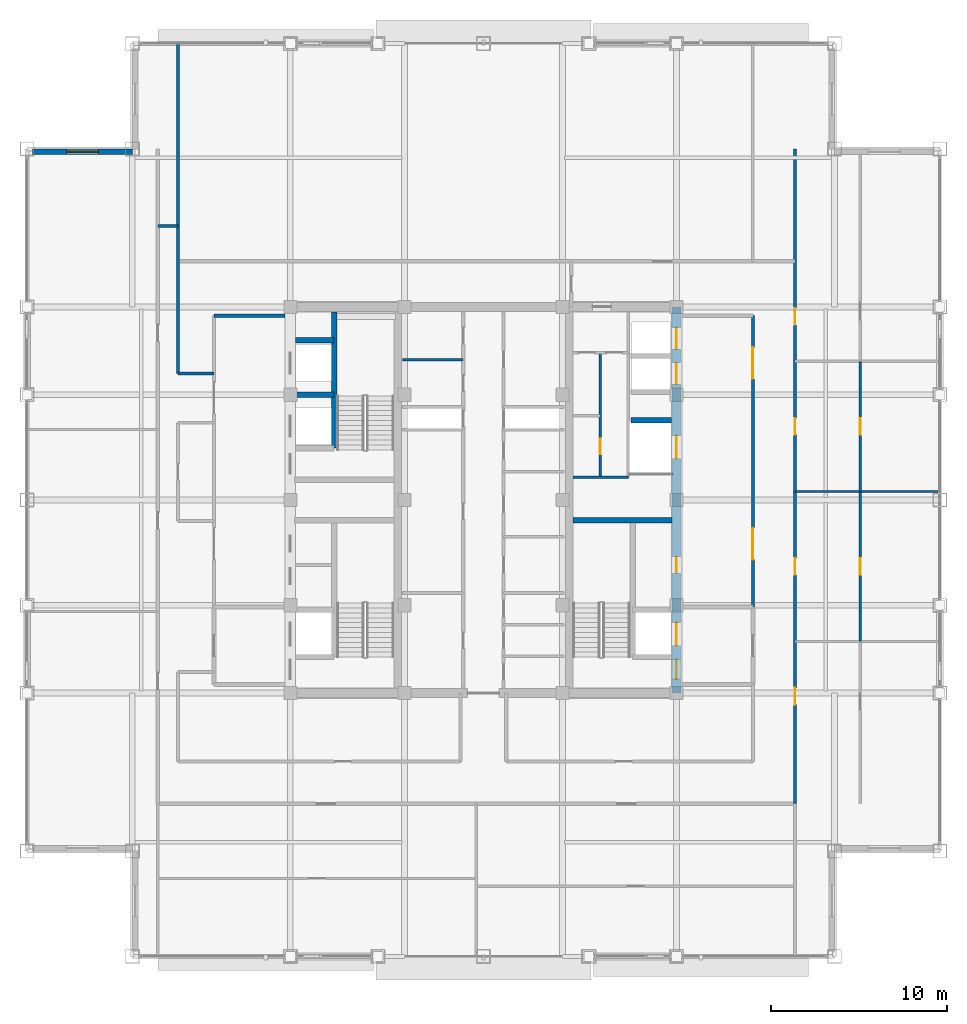
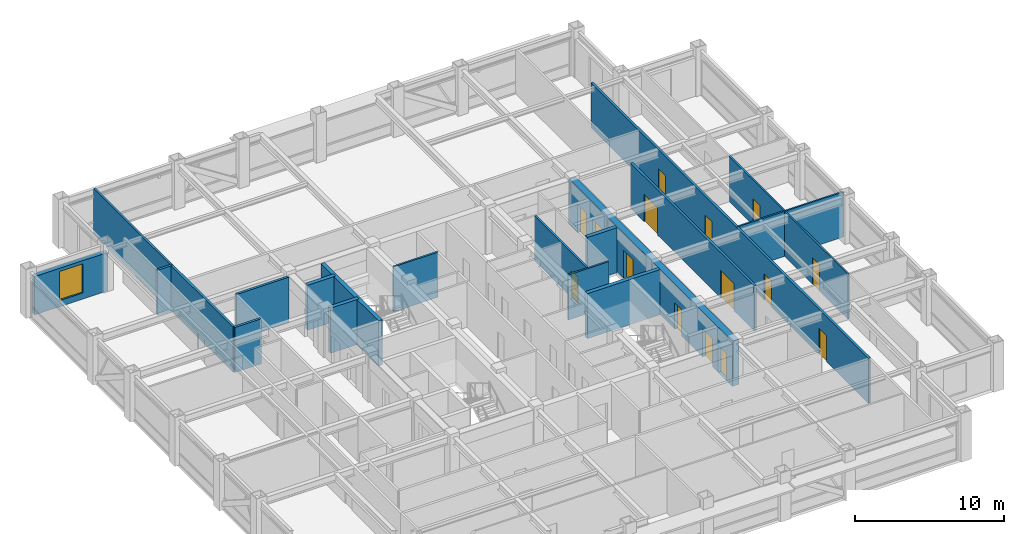
# One storey, part 26 of 32: 20 walls, 15 doors, 1 window, 16 openings.
"""IFC4 building model written with IfcOpenShell, lengths in metres."""

from ifc_helpers import new_model, si_unit, direction, frame, frame_2d, origin, place, context, subcontext, project, spatial, rectangle, extrude, source, transform, mapped, material, layer, layer_set, type_object, element, fill, save


model = new_model("IFC4")

# Units and contexts
model_context = context("Model", 3, precision=1e-05, world=origin(), true_north=direction((0.0, 1.0)))
body_context = subcontext(model_context, "Body", "Model", "MODEL_VIEW")
ifc_project = project(units=[si_unit("LENGTHUNIT", "METRE"), si_unit("AREAUNIT", "SQUARE_METRE"), si_unit("VOLUMEUNIT", "CUBIC_METRE"), si_unit("PLANEANGLEUNIT", "RADIAN"), si_unit("MASSUNIT", "GRAM", prefix="KILO")], contexts=[model_context])

# Site, building, storey
site_placement = place(None, origin())
site = spatial("IfcSite", under=ifc_project, at=site_placement, CompositionType="ELEMENT")
building_placement = place(site_placement, origin())
building = spatial("IfcBuilding", under=site, at=building_placement, Name="Khorayat Bourse Tower", CompositionType="ELEMENT")
storey_placement = place(building_placement, frame((0.0, 0.0, 342.300048828125)))
storey = spatial("IfcBuildingStorey", under=building, at=storey_placement, Name="L81", CompositionType="ELEMENT", Elevation=342.300048828125)

# Wall, openings, doors
ifc_material_1 = material(Name="Concrete C52/65", Category="concrete")
ifc_layer_1 = layer(ifc_material_1, 0.5)
ifc_layer_set_1 = layer_set([ifc_layer_1], Name="Concrete C52/65")
wall_type_1 = type_object("IfcWallType", Name="WAL-CORE-500", PredefinedType="SHEAR", material=ifc_layer_set_1)
shared_shape_1 = source(origin(), body_context, "Body", "SweptSolid", [
    extrude(rectangle(XDim=22.0, YDim=0.5, at=frame_2d((11.0, 0.0))), origin(), (0.0, 0.0, 1.0), 3.699951171875),
])
wall_1_placement = place(storey_placement, frame((11.0, -11.0, 0.0), z_axis=(0.0, 0.0, 1.0), x_axis=(0.0, 1.0, 0.0)))
wall_1 = element("IfcWall", 1, at=wall_1_placement, inside=storey, type_object=wall_type_1, Name="L81 Core Shear Wall CORE-E", PredefinedType="SHEAR", context=body_context, shape_type="MappedRepresentation", body=[
    mapped(shared_shape_1, transform((0.0, 0.0, 0.0), scale=1.0)),
])
shared_shape_2 = source(origin(), body_context, "Body", "SweptSolid", [
    extrude(rectangle(XDim=1.10009765625, YDim=2.199951171875, at=frame_2d((0.550048828125, 1.10009765625))), frame((0.0, 0.260009765625, 0.0), z_axis=(0.0, -1.0, 0.0), x_axis=(1.0, 0.0, 0.0)), (0.0, 0.0, 1.0), 0.52001953125),
])
opening_1_placement = place(wall_1_placement, frame((0.800048828125, 0.0, 0.0)))
opening_1 = element("IfcOpeningElement", 2, at=opening_1_placement, cuts=wall_1, Name="Opening DI-01", PredefinedType="OPENING", context=body_context, shape_type="MappedRepresentation", body=[
    mapped(shared_shape_2, transform((0.0, 0.0, 0.0), scale=1.0)),
])
shared_shape_3 = source(origin(), body_context, "Body", "SweptSolid", [
    extrude(rectangle(XDim=0.89990234375, YDim=2.14990234375, at=frame_2d((0.449951171875, 1.074951171875))), frame((0.0, 0.260009765625, 0.0), z_axis=(0.0, -1.0, 0.0), x_axis=(1.0, 0.0, 0.0)), (0.0, 0.0, 1.0), 0.52001953125),
])
opening_2_placement = place(wall_1_placement, frame((6.85009765625, 0.0, 0.0)))
opening_2 = element("IfcOpeningElement", 3, at=opening_2_placement, cuts=wall_1, Name="Opening DI-06", PredefinedType="OPENING", context=body_context, shape_type="MappedRepresentation", body=[
    mapped(shared_shape_3, transform((0.0, 0.0, 0.0), scale=1.0)),
])
shared_shape_4 = source(origin(), body_context, "Body", "SweptSolid", [
    extrude(rectangle(XDim=1.199951171875, YDim=2.300048828125, at=frame_2d((0.60009765625, 1.14990234375))), frame((0.0, 0.260009765625, 0.0), z_axis=(0.0, -1.0, 0.0), x_axis=(1.0, 0.0, 0.0)), (0.0, 0.0, 1.0), 0.52001953125),
])
opening_3_placement = place(wall_1_placement, frame((17.60009765625, 0.0, 0.0)))
opening_3 = element("IfcOpeningElement", 4, at=opening_3_placement, cuts=wall_1, Name="Opening LD-01", PredefinedType="OPENING", context=body_context, shape_type="MappedRepresentation", body=[
    mapped(shared_shape_4, transform((0.0, 0.0, 0.0), scale=1.0)),
])
opening_4_placement = place(wall_1_placement, frame((19.60009765625, 0.0, 0.0)))
opening_4 = element("IfcOpeningElement", 5, at=opening_4_placement, cuts=wall_1, Name="Opening LD-01", PredefinedType="OPENING", context=body_context, shape_type="MappedRepresentation", body=[
    mapped(shared_shape_4, transform((0.0, 0.0, 0.0), scale=1.0)),
])
shared_shape_5 = source(origin(), body_context, "Body", "SweptSolid", [
    extrude(rectangle(XDim=1.300048828125, YDim=2.300048828125, at=frame_2d((0.64990234375, 1.14990234375))), frame((0.0, 0.260009765625, 0.0), z_axis=(0.0, -1.0, 0.0), x_axis=(1.0, 0.0, 0.0)), (0.0, 0.0, 1.0), 0.52001953125),
])
opening_5_placement = place(wall_1_placement, frame((2.699951171875, 0.0, 0.0)))
opening_5 = element("IfcOpeningElement", 6, at=opening_5_placement, cuts=wall_1, Name="Opening LD-02", PredefinedType="OPENING", context=body_context, shape_type="MappedRepresentation", body=[
    mapped(shared_shape_5, transform((0.0, 0.0, 0.0), scale=1.0)),
])
opening_6_placement = place(wall_1_placement, frame((13.35009765625, 0.0, 0.0)))
opening_6 = element("IfcOpeningElement", 7, at=opening_6_placement, cuts=wall_1, Name="Opening LD-02", PredefinedType="OPENING", context=body_context, shape_type="MappedRepresentation", body=[
    mapped(shared_shape_5, transform((0.0, 0.0, 0.0), scale=1.0)),
])
ifc_material_2 = material(Name="Fire-rated steel acoustic leaf", Category="steel")
door_type_1 = type_object("IfcDoorType", Name="DR-INT-STAIR-1100", OperationType="NOTDEFINED", PredefinedType="DOOR", material=ifc_material_2)
shared_shape_6 = source(origin(), body_context, "Body", "SweptSolid", [
    extrude(rectangle(XDim=1.10009765625, YDim=2.199951171875, at=frame_2d((0.550048828125, 1.10009765625))), frame((0.0, 0.02490234375, 0.0), z_axis=(0.0, -1.0, 0.0), x_axis=(1.0, 0.0, 0.0)), (0.0, 0.0, 1.0), 0.050048828125),
])
door_1_placement = place(opening_1_placement, origin())
door_1 = element("IfcDoor", 8, at=door_1_placement, inside=storey, type_object=door_type_1, Name="L81 Exit Stair 3 Door", OperationType="SINGLE_SWING_LEFT", OverallHeight=2.199951171875, OverallWidth=1.10009765625, PredefinedType="DOOR", context=body_context, shape_type="MappedRepresentation", body=[
    mapped(shared_shape_6, transform((0.0, 0.0, 0.0), scale=1.0)),
])
fill(opening_1, door_1)
ifc_material_3 = material(Name="Moisture-resistant laminate washroom door")
door_type_2 = type_object("IfcDoorType", Name="DR-INT-WC-900", OperationType="NOTDEFINED", PredefinedType="DOOR", material=ifc_material_3)
shared_shape_7 = source(origin(), body_context, "Body", "SweptSolid", [
    extrude(rectangle(XDim=0.89990234375, YDim=2.14990234375, at=frame_2d((0.449951171875, 1.074951171875))), frame((0.0, 0.02490234375, 0.0), z_axis=(0.0, -1.0, 0.0), x_axis=(1.0, 0.0, 0.0)), (0.0, 0.0, 1.0), 0.050048828125),
])
door_2_placement = place(opening_2_placement, origin())
door_2 = element("IfcDoor", 9, at=door_2_placement, inside=storey, type_object=door_type_2, Name="L81 Telecom Server Plant Room Door", OperationType="SINGLE_SWING_LEFT", OverallHeight=2.14990234375, OverallWidth=0.89990234375, PredefinedType="DOOR", context=body_context, shape_type="MappedRepresentation", body=[
    mapped(shared_shape_7, transform((0.0, 0.0, 0.0), scale=1.0)),
])
fill(opening_2, door_2)
ifc_material_4 = material(Name="Brushed bronze stainless-steel sliding door", Category="steel")
door_type_3 = type_object("IfcDoorType", Name="DR-LIFT-PASS-1200", OperationType="NOTDEFINED", PredefinedType="DOOR", material=ifc_material_4)
shared_shape_8 = source(origin(), body_context, "Body", "SweptSolid", [
    extrude(rectangle(XDim=1.199951171875, YDim=2.300048828125, at=frame_2d((0.60009765625, 1.14990234375))), frame((0.0, 0.02490234375, 0.0), z_axis=(0.0, -1.0, 0.0), x_axis=(1.0, 0.0, 0.0)), (0.0, 0.0, 1.0), 0.050048828125),
])
door_3_placement = place(opening_3_placement, origin())
door_3 = element("IfcDoor", 10, at=door_3_placement, inside=storey, type_object=door_type_3, Name="L81 Lift PL-H3 Sliding Landing Door", OperationType="SLIDING_TO_LEFT", OverallHeight=2.300048828125, OverallWidth=1.199951171875, PredefinedType="DOOR", context=body_context, shape_type="MappedRepresentation", body=[
    mapped(shared_shape_8, transform((0.0, 0.0, 0.0), scale=1.0)),
])
fill(opening_3, door_3)
door_4_placement = place(opening_4_placement, origin())
door_4 = element("IfcDoor", 11, at=door_4_placement, inside=storey, type_object=door_type_3, Name="L81 Lift PL-H4 Sliding Landing Door", OperationType="SLIDING_TO_LEFT", OverallHeight=2.300048828125, OverallWidth=1.199951171875, PredefinedType="DOOR", context=body_context, shape_type="MappedRepresentation", body=[
    mapped(shared_shape_8, transform((0.0, 0.0, 0.0), scale=1.0)),
])
fill(opening_4, door_4)
ifc_material_5 = material(Name="Fire-rated stainless-steel sliding landing door", Category="steel")
door_type_4 = type_object("IfcDoorType", Name="DR-LIFT-FF-1300", OperationType="NOTDEFINED", PredefinedType="DOOR", material=ifc_material_5)
shared_shape_9 = source(origin(), body_context, "Body", "SweptSolid", [
    extrude(rectangle(XDim=1.300048828125, YDim=2.300048828125, at=frame_2d((0.64990234375, 1.14990234375))), frame((0.0, 0.02490234375, 0.0), z_axis=(0.0, -1.0, 0.0), x_axis=(1.0, 0.0, 0.0)), (0.0, 0.0, 1.0), 0.050048828125),
])
door_5_placement = place(opening_5_placement, origin())
door_5 = element("IfcDoor", 12, at=door_5_placement, inside=storey, type_object=door_type_4, Name="L81 Lift FFL-02 Sliding Landing Door", OperationType="SLIDING_TO_LEFT", OverallHeight=2.300048828125, OverallWidth=1.300048828125, PredefinedType="DOOR", context=body_context, shape_type="MappedRepresentation", body=[
    mapped(shared_shape_9, transform((0.0, 0.0, 0.0), scale=1.0)),
])
fill(opening_5, door_5)
door_6_placement = place(opening_6_placement, origin())
door_6 = element("IfcDoor", 13, at=door_6_placement, inside=storey, type_object=door_type_4, Name="L81 Lift SVL-01 Sliding Landing Door", OperationType="SLIDING_TO_LEFT", OverallHeight=2.300048828125, OverallWidth=1.300048828125, PredefinedType="DOOR", context=body_context, shape_type="MappedRepresentation", body=[
    mapped(shared_shape_9, transform((0.0, 0.0, 0.0), scale=1.0)),
])
fill(opening_6, door_6)

# Wall
ifc_material_6 = material(Name="Concrete C50/60", Category="concrete")
ifc_layer_2 = layer(ifc_material_6, 0.300048828125)
ifc_layer_set_2 = layer_set([ifc_layer_2], Name="Concrete C50/60")
wall_type_2 = type_object("IfcWallType", Name="WAL-SHAFT-300", PredefinedType="SHEAR", material=ifc_layer_set_2)
shared_shape_10 = source(origin(), body_context, "Body", "SweptSolid", [
    extrude(rectangle(XDim=5.64990234375, YDim=0.300048828125, at=frame_2d((2.824951171875, 0.0))), origin(), (0.0, 0.0, 1.0), 3.699951171875),
])
wall_2_placement = place(storey_placement, frame((5.10009765625, -1.14990234375, 0.0), z_axis=(0.0, 0.0, 1.0), x_axis=(1.0, 0.0, 0.0)))
element("IfcWall", 14, at=wall_2_placement, inside=storey, type_object=wall_type_2, Name="L81 Core Shear Wall ST3-DIV", PredefinedType="SHEAR", context=body_context, shape_type="MappedRepresentation", body=[
    mapped(shared_shape_10, transform((0.0, 0.0, 0.0), scale=1.0)),
])

# Wall, opening, window
ifc_material_7 = material(Name="Precast concrete C45/55", Category="concrete")
ifc_layer_3 = layer(ifc_material_7, 0.320068359375)
ifc_layer_set_3 = layer_set([ifc_layer_3], Name="Precast concrete C45/55")
wall_type_3 = type_object("IfcWallType", Name="WAL-EXT-STONE-320", PredefinedType="STANDARD", material=ifc_layer_set_3)
shared_shape_11 = source(origin(), body_context, "Body", "SweptSolid", [
    extrude(rectangle(XDim=5.679931640625, YDim=0.320068359375, at=frame_2d((2.83984375, 0.0))), origin(), (0.0, 0.0, 1.0), 3.15087890625),
])
wall_3_placement = place(storey_placement, frame((-20.0, 19.840087890625, 0.0), z_axis=(0.0, 0.0, 1.0), x_axis=(-1.0, 0.0, 0.0)))
wall_3 = element("IfcWall", 15, at=wall_3_placement, inside=storey, type_object=wall_type_3, Name="L81 Re-Entrant Notch Limestone Wall NW-H", PredefinedType="STANDARD", context=body_context, shape_type="MappedRepresentation", body=[
    mapped(shared_shape_11, transform((0.0, 0.0, 0.0), scale=1.0)),
])
shared_shape_12 = source(origin(), body_context, "Body", "SweptSolid", [
    extrude(rectangle(XDim=1.800048828125, YDim=2.39990234375, at=frame_2d((0.89990234375, 1.199951171875))), frame((0.0, 0.169921875, 0.0), z_axis=(0.0, -1.0, 0.0), x_axis=(1.0, 0.0, 0.0)), (0.0, 0.0, 1.0), 0.340087890625),
])
opening_7_placement = place(wall_3_placement, frame((1.93994140625, 0.0, 0.5)))
opening_7 = element("IfcOpeningElement", 16, at=opening_7_placement, cuts=wall_3, Name="Opening WN-04", PredefinedType="OPENING", context=body_context, shape_type="MappedRepresentation", body=[
    mapped(shared_shape_12, transform((0.0, 0.0, 0.0), scale=1.0)),
])
ifc_material_8 = material(Name="Low-E acoustic laminated double glazing", Category="glass")
window_type = type_object("IfcWindowType", Name="WIN-NOTCH-1800x2400", PartitioningType="SINGLE_PANEL", PredefinedType="WINDOW", material=ifc_material_8)
shared_shape_13 = source(origin(), body_context, "Body", "SweptSolid", [
    extrude(rectangle(XDim=1.800048828125, YDim=2.39990234375, at=frame_2d((0.89990234375, 1.199951171875))), frame((0.0, 0.030029296875, 0.0), z_axis=(0.0, -1.0, 0.0), x_axis=(1.0, 0.0, 0.0)), (0.0, 0.0, 1.0), 0.06005859375),
])
window_placement = place(opening_7_placement, origin())
window = element("IfcWindow", 17, at=window_placement, inside=storey, type_object=window_type, Name="L81 Facade Window 1", OverallHeight=2.39990234375, OverallWidth=1.800048828125, PartitioningType="SINGLE_PANEL", PredefinedType="WINDOW", context=body_context, shape_type="MappedRepresentation", body=[
    mapped(shared_shape_13, transform((0.0, 0.0, 0.0), scale=1.0)),
])
fill(opening_7, window)

# Walls
shared_shape_14 = source(origin(), body_context, "Body", "SweptSolid", [
    extrude(rectangle(XDim=2.199951171875, YDim=0.300048828125, at=frame_2d((1.10009765625, 0.0))), origin(), (0.0, 0.0, 1.0), 3.699951171875),
])
for number, where, z_axis, x_axis, name in (
    (18, (-10.699951171875, 6.0, 0.0), (0.0, 0.0, 1.0), (1.0, 0.0, 0.0), "L81 Partition WAL-L81-WPIER-H12"),
    (19, (-10.699951171875, 9.10009765625, 0.0), (0.0, 0.0, 1.0), (1.0, 0.0, 0.0), "L81 Partition WAL-L81-WPIER-H2N"),
):
    element("IfcWall", number, at=place(storey_placement, frame(where, z_axis=z_axis, x_axis=x_axis)), inside=storey, type_object=wall_type_2, Name=name, PredefinedType="SHEAR", context=body_context, shape_type="MappedRepresentation", body=[
        mapped(shared_shape_14, transform((0.0, 0.0, 0.0), scale=1.0)),
    ])
shared_shape_15 = source(origin(), body_context, "Body", "SweptSolid", [
    extrude(rectangle(XDim=7.75, YDim=0.300048828125, at=frame_2d((3.875, 0.0))), origin(), (0.0, 0.0, 1.0), 3.699951171875),
])
wall_4_placement = place(storey_placement, frame((-8.5, 2.949951171875, 0.0), z_axis=(0.0, 0.0, 1.0), x_axis=(0.0, 1.0, 0.0)))
element("IfcWall", 20, at=wall_4_placement, inside=storey, type_object=wall_type_2, Name="L81 Partition WAL-L81-WPIER-ST2S", PredefinedType="SHEAR", context=body_context, shape_type="MappedRepresentation", body=[
    mapped(shared_shape_15, transform((0.0, 0.0, 0.0), scale=1.0)),
])
shared_shape_16 = source(origin(), body_context, "Body", "SweptSolid", [
    extrude(rectangle(XDim=2.300048828125, YDim=0.300048828125, at=frame_2d((1.14990234375, 0.0))), origin(), (0.0, 0.0, 1.0), 3.699951171875),
])
wall_5_placement = place(storey_placement, frame((8.39990234375, 4.550048828125, 0.0), z_axis=(0.0, 0.0, 1.0), x_axis=(1.0, 0.0, 0.0)))
element("IfcWall", 21, at=wall_5_placement, inside=storey, type_object=wall_type_2, Name="L81 Partition WAL-L81-EPIER-SVLN", PredefinedType="SHEAR", context=body_context, shape_type="MappedRepresentation", body=[
    mapped(shared_shape_16, transform((0.0, 0.0, 0.0), scale=1.0)),
])
ifc_material_9 = material(Name="Moisture-resistant masonry partition", Category="masonry")
ifc_layer_4 = layer(ifc_material_9, 0.139892578125)
ifc_layer_set_4 = layer_set([ifc_layer_4], Name="Moisture-resistant masonry partition")
wall_type_4 = type_object("IfcWallType", Name="WAL-PART-WET-140", PredefinedType="PARTITIONING", material=ifc_layer_set_4)
shared_shape_17 = source(origin(), body_context, "Body", "SweptSolid", [
    extrude(rectangle(XDim=3.14990234375, YDim=0.139892578125, at=frame_2d((1.574951171875, 0.0))), origin(), (0.0, 0.0, 1.0), 3.699951171875),
])
wall_6_placement = place(storey_placement, frame((5.10009765625, 1.300048828125, 0.0), z_axis=(0.0, 0.0, 1.0), x_axis=(1.0, 0.0, 0.0)))
element("IfcWall", 22, at=wall_6_placement, inside=storey, type_object=wall_type_4, Name="L81 Partition WAL-L81-ECORE-S", PredefinedType="PARTITIONING", context=body_context, shape_type="MappedRepresentation", body=[
    mapped(shared_shape_17, transform((0.0, 0.0, 0.0), scale=1.0)),
])

# Wall, opening, door
shared_shape_18 = source(origin(), body_context, "Body", "SweptSolid", [
    extrude(rectangle(XDim=7.099853515625, YDim=0.139892578125, at=frame_2d((3.5498046875, 0.0))), origin(), (0.0, 0.0, 1.0), 3.699951171875),
])
wall_7_placement = place(storey_placement, frame((6.64990234375, 1.300048828125, 0.0), z_axis=(0.0, 0.0, 1.0), x_axis=(0.0, 1.0, 0.0)))
wall_7 = element("IfcWall", 23, at=wall_7_placement, inside=storey, type_object=wall_type_4, Name="L81 Partition WAL-L81-ECW-MID", PredefinedType="PARTITIONING", context=body_context, shape_type="MappedRepresentation", body=[
    mapped(shared_shape_18, transform((0.0, 0.0, 0.0), scale=1.0)),
])
shared_shape_19 = source(origin(), body_context, "Body", "SweptSolid", [
    extrude(rectangle(XDim=0.89990234375, YDim=2.14990234375, at=frame_2d((0.449951171875, 1.074951171875))), frame((0.0, 0.079833984375, 0.0), z_axis=(0.0, -1.0, 0.0), x_axis=(1.0, 0.0, 0.0)), (0.0, 0.0, 1.0), 0.159912109375),
])
opening_8_placement = place(wall_7_placement, frame((1.300048828125, 0.0, 0.0)))
opening_8 = element("IfcOpeningElement", 24, at=opening_8_placement, cuts=wall_7, Name="Opening DI-06", PredefinedType="OPENING", context=body_context, shape_type="MappedRepresentation", body=[
    mapped(shared_shape_19, transform((0.0, 0.0, 0.0), scale=1.0)),
])
door_7_placement = place(opening_8_placement, origin())
door_7 = element("IfcDoor", 25, at=door_7_placement, inside=storey, type_object=door_type_2, Name="L81 Janitor Store Door", OperationType="SINGLE_SWING_LEFT", OverallHeight=2.14990234375, OverallWidth=0.89990234375, PredefinedType="DOOR", context=body_context, shape_type="MappedRepresentation", body=[
    mapped(shared_shape_7, transform((0.0, 0.0, 0.0), scale=1.0)),
])
fill(opening_8, door_7)

# Wall
ifc_material_10 = material(Name="Gypsum plasterboard acoustic stud wall")
ifc_layer_5 = layer(ifc_material_10, 0.179931640625)
ifc_layer_set_5 = layer_set([ifc_layer_5], Name="Gypsum plasterboard acoustic stud wall")
wall_type_5 = type_object("IfcWallType", Name="WAL-PART-CORR-180", PredefinedType="PARTITIONING", material=ifc_layer_set_5)
shared_shape_20 = source(origin(), body_context, "Body", "SweptSolid", [
    extrude(rectangle(XDim=4.050048828125, YDim=0.179931640625, at=frame_2d((2.02490234375, 0.0))), origin(), (0.0, 0.0, 1.0), 3.699951171875),
])
wall_8_placement = place(storey_placement, frame((-15.35009765625, 10.5, 0.0), z_axis=(0.0, 0.0, 1.0), x_axis=(1.0, 0.0, 0.0)))
element("IfcWall", 26, at=wall_8_placement, inside=storey, type_object=wall_type_5, Name="L81 Partition WAL-L81-WLOB-N", PredefinedType="PARTITIONING", context=body_context, shape_type="MappedRepresentation", body=[
    mapped(shared_shape_20, transform((0.0, 0.0, 0.0), scale=1.0)),
])

# Wall, openings, doors
shared_shape_21 = source(origin(), body_context, "Body", "SweptSolid", [
    extrude(rectangle(XDim=16.60009765625, YDim=0.179931640625, at=frame_2d((8.300048828125, 0.0))), origin(), (0.0, 0.0, 1.0), 3.699951171875),
])
wall_9_placement = place(storey_placement, frame((15.35009765625, -6.10009765625, 0.0), z_axis=(0.0, 0.0, 1.0), x_axis=(0.0, 1.0, 0.0)))
wall_9 = element("IfcWall", 27, at=wall_9_placement, inside=storey, type_object=wall_type_5, Name="L81 Partition WAL-L81-ELOB-E", PredefinedType="PARTITIONING", context=body_context, shape_type="MappedRepresentation", body=[
    mapped(shared_shape_21, transform((0.0, 0.0, 0.0), scale=1.0)),
])
shared_shape_22 = source(origin(), body_context, "Body", "SweptSolid", [
    extrude(rectangle(XDim=1.800048828125, YDim=2.25, at=frame_2d((0.89990234375, 1.125))), frame((0.0, 0.099853515625, 0.0), z_axis=(0.0, -1.0, 0.0), x_axis=(1.0, 0.0, 0.0)), (0.0, 0.0, 1.0), 0.199951171875),
])
opening_9_placement = place(wall_9_placement, frame((2.699951171875, 0.0, 0.0)))
opening_9 = element("IfcOpeningElement", 28, at=opening_9_placement, cuts=wall_9, Name="Opening DI-03", PredefinedType="OPENING", context=body_context, shape_type="MappedRepresentation", body=[
    mapped(shared_shape_22, transform((0.0, 0.0, 0.0), scale=1.0)),
])
opening_10_placement = place(wall_9_placement, frame((13.0, 0.0, 0.0)))
opening_10 = element("IfcOpeningElement", 29, at=opening_10_placement, cuts=wall_9, Name="Opening DI-03", PredefinedType="OPENING", context=body_context, shape_type="MappedRepresentation", body=[
    mapped(shared_shape_22, transform((0.0, 0.0, 0.0), scale=1.0)),
])
ifc_material_11 = material(Name="Fire-rated hardwood vision-panel double leaf", Category="wood")
door_type_5 = type_object("IfcDoorType", Name="DR-INT-CORR-1800", OperationType="NOTDEFINED", PredefinedType="DOOR", material=ifc_material_11)
shared_shape_23 = source(origin(), body_context, "Body", "SweptSolid", [
    extrude(rectangle(XDim=1.800048828125, YDim=2.25, at=frame_2d((0.89990234375, 1.125))), frame((0.0, 0.02490234375, 0.0), z_axis=(0.0, -1.0, 0.0), x_axis=(1.0, 0.0, 0.0)), (0.0, 0.0, 1.0), 0.050048828125),
])
door_8_placement = place(opening_9_placement, origin())
door_8 = element("IfcDoor", 30, at=door_8_placement, inside=storey, type_object=door_type_5, Name="L81 East Core Lobby South Door", OperationType="SINGLE_SWING_RIGHT", OverallHeight=2.25, OverallWidth=1.800048828125, PredefinedType="DOOR", context=body_context, shape_type="MappedRepresentation", body=[
    mapped(shared_shape_23, transform((0.0, 0.0, 0.0), scale=1.0)),
])
fill(opening_9, door_8)
door_9_placement = place(opening_10_placement, origin())
door_9 = element("IfcDoor", 31, at=door_9_placement, inside=storey, type_object=door_type_5, Name="L81 East Core Lobby North Door", OperationType="SINGLE_SWING_LEFT", OverallHeight=2.25, OverallWidth=1.800048828125, PredefinedType="DOOR", context=body_context, shape_type="MappedRepresentation", body=[
    mapped(shared_shape_23, transform((0.0, 0.0, 0.0), scale=1.0)),
])
fill(opening_10, door_9)

# Walls
shared_shape_24 = source(origin(), body_context, "Body", "SweptSolid", [
    extrude(rectangle(XDim=3.4501953125, YDim=0.139892578125, at=frame_2d((1.72509765625, 0.0))), origin(), (0.0, 0.0, 1.0), 3.699951171875),
])
wall_10_placement = place(storey_placement, frame((-4.60009765625, 8.0, 0.0), z_axis=(0.0, 0.0, 1.0), x_axis=(1.0, 0.0, 0.0)))
element("IfcWall", 32, at=wall_10_placement, inside=storey, type_object=wall_type_4, Name="L81 Partition WAL-L81-FB2W-D1", PredefinedType="PARTITIONING", context=body_context, shape_type="MappedRepresentation", body=[
    mapped(shared_shape_24, transform((0.0, 0.0, 0.0), scale=1.0)),
])
shared_shape_25 = source(origin(), body_context, "Body", "SweptSolid", [
    extrude(rectangle(XDim=2.0498046875, YDim=0.179931640625, at=frame_2d((1.02490234375, 0.0))), origin(), (0.0, 0.0, 1.0), 3.699951171875),
])
wall_11_placement = place(storey_placement, frame((-17.39990234375, 7.199951171875, 0.0), z_axis=(0.0, 0.0, 1.0), x_axis=(1.0, 0.0, 0.0)))
element("IfcWall", 33, at=wall_11_placement, inside=storey, type_object=wall_type_5, Name="L81 Partition WAL-L81-THRWN-T", PredefinedType="PARTITIONING", context=body_context, shape_type="MappedRepresentation", body=[
    mapped(shared_shape_25, transform((0.0, 0.0, 0.0), scale=1.0)),
])
shared_shape_26 = source(origin(), body_context, "Body", "SweptSolid", [
    extrude(rectangle(XDim=8.400146484375, YDim=0.179931640625, at=frame_2d((4.2001953125, 0.0))), origin(), (0.0, 0.0, 1.0), 3.699951171875),
])
wall_12_placement = place(storey_placement, frame((-17.39990234375, 7.199951171875, 0.0), z_axis=(0.0, 0.0, 1.0), x_axis=(0.0, 1.0, 0.0)))
element("IfcWall", 34, at=wall_12_placement, inside=storey, type_object=wall_type_5, Name="L81 Partition WAL-L81-THRWN-N", PredefinedType="PARTITIONING", context=body_context, shape_type="MappedRepresentation", body=[
    mapped(shared_shape_26, transform((0.0, 0.0, 0.0), scale=1.0)),
])
shared_shape_27 = source(origin(), body_context, "Body", "SweptSolid", [
    extrude(rectangle(XDim=1.150146484375, YDim=0.179931640625, at=frame_2d((0.5751953125, 0.0))), origin(), (0.0, 0.0, 1.0), 3.699951171875),
])
wall_13_placement = place(storey_placement, frame((-18.550048828125, 15.60009765625, 0.0), z_axis=(0.0, 0.0, 1.0), x_axis=(1.0, 0.0, 0.0)))
element("IfcWall", 35, at=wall_13_placement, inside=storey, type_object=wall_type_5, Name="L81 Partition WAL-L81-GALW-N", PredefinedType="PARTITIONING", context=body_context, shape_type="MappedRepresentation", body=[
    mapped(shared_shape_27, transform((0.0, 0.0, 0.0), scale=1.0)),
])
ifc_material_12 = material(Name="Gypsum plasterboard twin-frame partition")
ifc_layer_6 = layer(ifc_material_12, 0.14990234375)
ifc_layer_set_6 = layer_set([ifc_layer_6], Name="Gypsum plasterboard twin-frame partition")
wall_type_6 = type_object("IfcWallType", Name="WAL-PART-SUITE-150", PredefinedType="PARTITIONING", material=ifc_layer_set_6)
shared_shape_28 = source(origin(), body_context, "Body", "SweptSolid", [
    extrude(rectangle(XDim=10.39990234375, YDim=0.14990234375, at=frame_2d((5.199951171875, 0.0))), origin(), (0.0, 0.0, 1.0), 3.699951171875),
])
wall_14_placement = place(storey_placement, frame((-17.39990234375, 15.60009765625, 0.0), z_axis=(0.0, 0.0, 1.0), x_axis=(0.0, 1.0, 0.0)))
element("IfcWall", 36, at=wall_14_placement, inside=storey, type_object=wall_type_6, Name="L81 Partition WAL-L81-NCW-END", PredefinedType="PARTITIONING", context=body_context, shape_type="MappedRepresentation", body=[
    mapped(shared_shape_28, transform((0.0, 0.0, 0.0), scale=1.0)),
])

# Wall, openings, doors
shared_shape_29 = source(origin(), body_context, "Body", "SweptSolid", [
    extrude(rectangle(XDim=37.300048828125, YDim=0.179931640625, at=frame_2d((18.64990234375, 0.0))), origin(), (0.0, 0.0, 1.0), 3.699951171875),
])
wall_15_placement = place(storey_placement, frame((17.75, -17.300048828125, 0.0), z_axis=(0.0, 0.0, 1.0), x_axis=(0.0, 1.0, 0.0)))
wall_15 = element("IfcWall", 37, at=wall_15_placement, inside=storey, type_object=wall_type_5, Name="L81 Partition WAL-L81-ECORR", PredefinedType="PARTITIONING", context=body_context, shape_type="MappedRepresentation", body=[
    mapped(shared_shape_29, transform((0.0, 0.0, 0.0), scale=1.0)),
])
shared_shape_30 = source(origin(), body_context, "Body", "SweptSolid", [
    extrude(rectangle(XDim=0.949951171875, YDim=2.14990234375, at=frame_2d((0.47509765625, 1.074951171875))), frame((0.0, 0.099853515625, 0.0), z_axis=(0.0, -1.0, 0.0), x_axis=(1.0, 0.0, 0.0)), (0.0, 0.0, 1.0), 0.199951171875),
])
opening_11_placement = place(wall_15_placement, frame((5.64501953125, 0.0, 0.0)))
opening_11 = element("IfcOpeningElement", 38, at=opening_11_placement, cuts=wall_15, Name="Opening DI-05", PredefinedType="OPENING", context=body_context, shape_type="MappedRepresentation", body=[
    mapped(shared_shape_30, transform((0.0, 0.0, 0.0), scale=1.0)),
])
opening_12_placement = place(wall_15_placement, frame((13.0400390625, 0.0, 0.0)))
opening_12 = element("IfcOpeningElement", 39, at=opening_12_placement, cuts=wall_15, Name="Opening DI-05", PredefinedType="OPENING", context=body_context, shape_type="MappedRepresentation", body=[
    mapped(shared_shape_30, transform((0.0, 0.0, 0.0), scale=1.0)),
])
opening_13_placement = place(wall_15_placement, frame((21.02001953125, 0.0, 0.0)))
opening_13 = element("IfcOpeningElement", 40, at=opening_13_placement, cuts=wall_15, Name="Opening DI-05", PredefinedType="OPENING", context=body_context, shape_type="MappedRepresentation", body=[
    mapped(shared_shape_30, transform((0.0, 0.0, 0.0), scale=1.0)),
])
opening_14_placement = place(wall_15_placement, frame((27.27490234375, 0.0, 0.0)))
opening_14 = element("IfcOpeningElement", 41, at=opening_14_placement, cuts=wall_15, Name="Opening DI-05", PredefinedType="OPENING", context=body_context, shape_type="MappedRepresentation", body=[
    mapped(shared_shape_30, transform((0.0, 0.0, 0.0), scale=1.0)),
])
ifc_material_13 = material(Name="Acoustic oak veneer office door")
door_type_6 = type_object("IfcDoorType", Name="DR-INT-OFFICE-950", OperationType="NOTDEFINED", PredefinedType="DOOR", material=ifc_material_13)
shared_shape_31 = source(origin(), body_context, "Body", "SweptSolid", [
    extrude(rectangle(XDim=0.949951171875, YDim=2.14990234375, at=frame_2d((0.47509765625, 1.074951171875))), frame((0.0, 0.02490234375, 0.0), z_axis=(0.0, -1.0, 0.0), x_axis=(1.0, 0.0, 0.0)), (0.0, 0.0, 1.0), 0.050048828125),
])
door_10_placement = place(opening_11_placement, origin())
door_10 = element("IfcDoor", 42, at=door_10_placement, inside=storey, type_object=door_type_6, Name="L81 Clearing Operations Office E1 Door", OperationType="SINGLE_SWING_RIGHT", OverallHeight=2.14990234375, OverallWidth=0.949951171875, PredefinedType="DOOR", context=body_context, shape_type="MappedRepresentation", body=[
    mapped(shared_shape_31, transform((0.0, 0.0, 0.0), scale=1.0)),
])
fill(opening_11, door_10)
door_11_placement = place(opening_12_placement, origin())
door_11 = element("IfcDoor", 43, at=door_11_placement, inside=storey, type_object=door_type_6, Name="L81 Occupational First Aid Clinic E2 Door", OperationType="SINGLE_SWING_LEFT", OverallHeight=2.14990234375, OverallWidth=0.949951171875, PredefinedType="DOOR", context=body_context, shape_type="MappedRepresentation", body=[
    mapped(shared_shape_31, transform((0.0, 0.0, 0.0), scale=1.0)),
])
fill(opening_12, door_11)
door_12_placement = place(opening_13_placement, origin())
door_12 = element("IfcDoor", 44, at=door_12_placement, inside=storey, type_object=door_type_6, Name="L81 Market Committee Conference Room E3 Door", OperationType="SINGLE_SWING_RIGHT", OverallHeight=2.14990234375, OverallWidth=0.949951171875, PredefinedType="DOOR", context=body_context, shape_type="MappedRepresentation", body=[
    mapped(shared_shape_31, transform((0.0, 0.0, 0.0), scale=1.0)),
])
fill(opening_13, door_12)
door_13_placement = place(opening_14_placement, origin())
door_13 = element("IfcDoor", 45, at=door_13_placement, inside=storey, type_object=door_type_6, Name="L81 Floor Reception Concierge E4 Door", OperationType="SINGLE_SWING_LEFT", OverallHeight=2.14990234375, OverallWidth=0.949951171875, PredefinedType="DOOR", context=body_context, shape_type="MappedRepresentation", body=[
    mapped(shared_shape_31, transform((0.0, 0.0, 0.0), scale=1.0)),
])
fill(opening_14, door_13)

# Wall
ifc_material_14 = material(Name="Gypsum plasterboard partition")
ifc_layer_7 = layer(ifc_material_14, 0.125)
ifc_layer_set_7 = layer_set([ifc_layer_7], Name="Gypsum plasterboard partition")
wall_type_7 = type_object("IfcWallType", Name="WAL-PART-ROOM-125", PredefinedType="PARTITIONING", material=ifc_layer_set_7)
shared_shape_32 = source(origin(), body_context, "Body", "SweptSolid", [
    extrude(rectangle(XDim=8.25, YDim=0.125, at=frame_2d((4.125, 0.0))), origin(), (0.0, 0.0, 1.0), 3.699951171875),
])
wall_16_placement = place(storey_placement, frame((17.75, 0.489990234375, 0.0), z_axis=(0.0, 0.0, 1.0), x_axis=(1.0, 0.0, 0.0)))
element("IfcWall", 46, at=wall_16_placement, inside=storey, type_object=wall_type_7, Name="L81 Partition WAL-L81-EDV-2", PredefinedType="PARTITIONING", context=body_context, shape_type="MappedRepresentation", body=[
    mapped(shared_shape_32, transform((0.0, 0.0, 0.0), scale=1.0)),
])

# Wall, opening, door
shared_shape_33 = source(origin(), body_context, "Body", "SweptSolid", [
    extrude(rectangle(XDim=8.550048828125, YDim=0.125, at=frame_2d((4.27490234375, 0.0))), origin(), (0.0, 0.0, 1.0), 3.699951171875),
])
wall_17_placement = place(storey_placement, frame((21.46240234375, -8.06005859375, 0.0), z_axis=(0.0, 0.0, 1.0), x_axis=(0.0, 1.0, 0.0)))
wall_17 = element("IfcWall", 47, at=wall_17_placement, inside=storey, type_object=wall_type_7, Name="L81 Partition WAL-L81-EDP-2", PredefinedType="PARTITIONING", context=body_context, shape_type="MappedRepresentation", body=[
    mapped(shared_shape_33, transform((0.0, 0.0, 0.0), scale=1.0)),
])
shared_shape_34 = source(origin(), body_context, "Body", "SweptSolid", [
    extrude(rectangle(XDim=0.949951171875, YDim=2.14990234375, at=frame_2d((0.47509765625, 1.074951171875))), frame((0.0, 0.072509765625, 0.0), z_axis=(0.0, -1.0, 0.0), x_axis=(1.0, 0.0, 0.0)), (0.0, 0.0, 1.0), 0.14501953125),
])
opening_15_placement = place(wall_17_placement, frame((3.800048828125, 0.0, 0.0)))
opening_15 = element("IfcOpeningElement", 48, at=opening_15_placement, cuts=wall_17, Name="Opening DI-05", PredefinedType="OPENING", context=body_context, shape_type="MappedRepresentation", body=[
    mapped(shared_shape_34, transform((0.0, 0.0, 0.0), scale=1.0)),
])
door_14_placement = place(opening_15_placement, origin())
door_14 = element("IfcDoor", 49, at=door_14_placement, inside=storey, type_object=door_type_6, Name="L81 Executive Boardroom E2B Door", OperationType="SINGLE_SWING_LEFT", OverallHeight=2.14990234375, OverallWidth=0.949951171875, PredefinedType="DOOR", context=body_context, shape_type="MappedRepresentation", body=[
    mapped(shared_shape_31, transform((0.0, 0.0, 0.0), scale=1.0)),
])
fill(opening_15, door_14)

shared_shape_35 = source(origin(), body_context, "Body", "SweptSolid", [
    extrude(rectangle(XDim=7.409912109375, YDim=0.125, at=frame_2d((3.705078125, 0.0))), origin(), (0.0, 0.0, 1.0), 3.699951171875),
])
wall_18_placement = place(storey_placement, frame((21.46240234375, 0.489990234375, 0.0), z_axis=(0.0, 0.0, 1.0), x_axis=(0.0, 1.0, 0.0)))
wall_18 = element("IfcWall", 50, at=wall_18_placement, inside=storey, type_object=wall_type_7, Name="L81 Partition WAL-L81-EDP-3", PredefinedType="PARTITIONING", context=body_context, shape_type="MappedRepresentation", body=[
    mapped(shared_shape_35, transform((0.0, 0.0, 0.0), scale=1.0)),
])
opening_16_placement = place(wall_18_placement, frame((3.22998046875, 0.0, 0.0)))
opening_16 = element("IfcOpeningElement", 51, at=opening_16_placement, cuts=wall_18, Name="Opening DI-05", PredefinedType="OPENING", context=body_context, shape_type="MappedRepresentation", body=[
    mapped(shared_shape_34, transform((0.0, 0.0, 0.0), scale=1.0)),
])
door_15_placement = place(opening_16_placement, origin())
door_15 = element("IfcDoor", 52, at=door_15_placement, inside=storey, type_object=door_type_6, Name="L81 Brokerage Seminar Room E3B Door", OperationType="SINGLE_SWING_RIGHT", OverallHeight=2.14990234375, OverallWidth=0.949951171875, PredefinedType="DOOR", context=body_context, shape_type="MappedRepresentation", body=[
    mapped(shared_shape_31, transform((0.0, 0.0, 0.0), scale=1.0)),
])
fill(opening_16, door_15)

save(model, "model.ifc")
